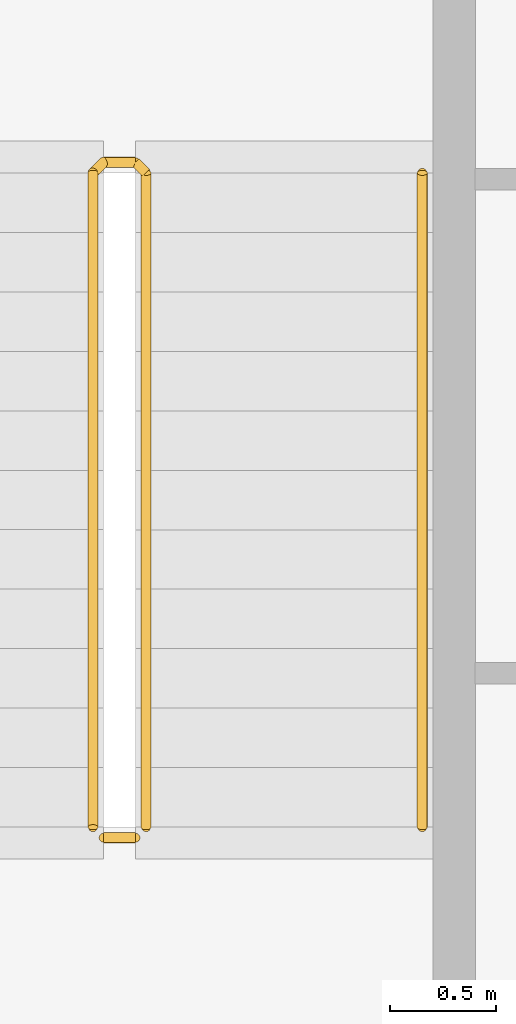
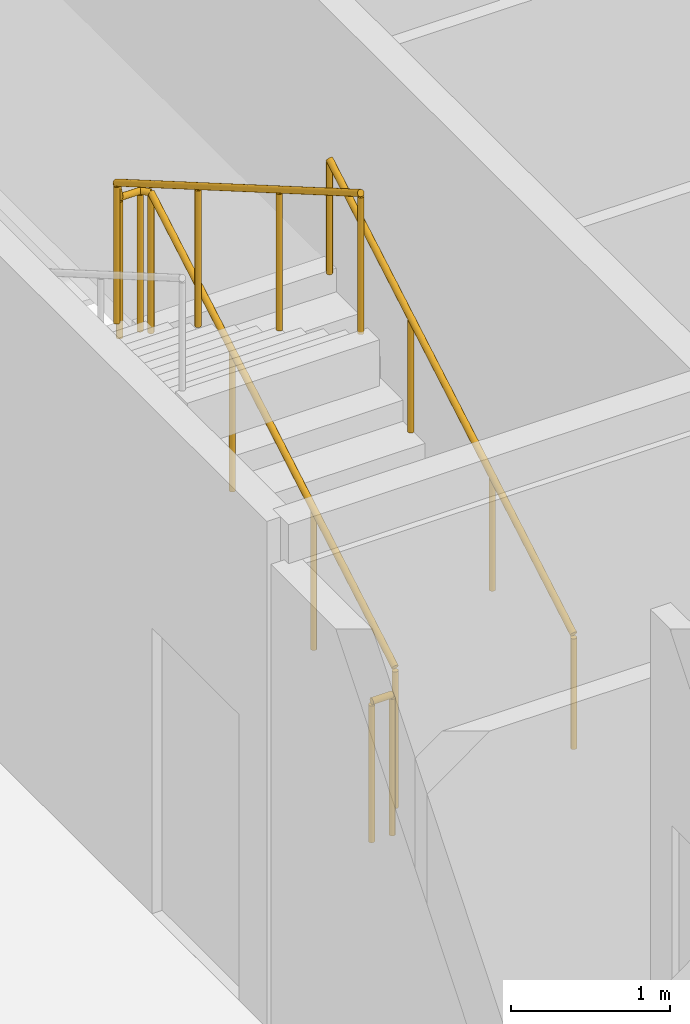
# One storey, part 27 of 28: 3 railings.
"""IFC4 building model written with IfcOpenShell, lengths in metres."""

import ifcopenshell
import ifcopenshell.guid

model = None  # the IFC model being written
_history = None  # IfcOwnerHistory: only IFC2X3 demands one
_inside = {}  # id of a spatial element -> (the spatial element, [elements in it])
_under = {}  # id of a project, library or spatial element -> (it, [spatial elements below it])
_declared = {}  # id of a project -> (the project, [libraries it declares])
_typed = {}  # id of a type object -> (the type object, [elements of that type])
_made_of = {}  # id of a material, layer set ... -> (it, [elements and type objects made of it])


def new_model(schema):
    """Start an empty IFC model of exactly this schema.

    Asked for "IFC4X3", IfcOpenShell would pick the latest addendum, in which some entities
    have other attributes; the version numbers below select the first issue.
    IFC2X3 requires an IfcOwnerHistory on every rooted entity: one is made here for all.
    """
    global model, _history
    if schema == "IFC4X3":
        model = ifcopenshell.file(schema_version=(4, 3, 0, 0))
    else:
        model = ifcopenshell.file(schema=schema)
    _inside.clear()
    _under.clear()
    _declared.clear()
    _typed.clear()
    _made_of.clear()
    _history = None
    if model.schema == "IFC2X3":
        org = make("IfcOrganization", Name="unknown")
        user = make(
            "IfcPersonAndOrganization",
            ThePerson=make("IfcPerson", FamilyName="unknown"),
            TheOrganization=org,
        )
        app = make(
            "IfcApplication",
            ApplicationDeveloper=org,
            Version="unknown",
            ApplicationFullName="unknown",
            ApplicationIdentifier="unknown",
        )
        _history = make(
            "IfcOwnerHistory",
            OwningUser=user,
            OwningApplication=app,
            ChangeAction="ADDED",
            CreationDate=0,
        )
    return model


def make(cls, **values):
    """One entity of the class cls with the attributes given. An attribute that is None is left unset."""
    return model.create_entity(
        cls, **{name: value for name, value in values.items() if value is not None}
    )


def rooted(cls, **values):
    """An entity with a GlobalId (a new one), such as an element, a storey or a relation."""
    return make(cls, GlobalId=ifcopenshell.guid.new(), OwnerHistory=_history, **values)


def si_unit(unit_type, name, prefix=None):
    """IfcSIUnit, for example si_unit("LENGTHUNIT", "METRE", prefix="MILLI")."""
    return make("IfcSIUnit", UnitType=unit_type, Prefix=prefix, Name=name)


def assignment(units):
    """IfcUnitAssignment: the units of a project."""
    return None if units is None else make("IfcUnitAssignment", Units=units)


def point(xyz):
    """IfcCartesianPoint."""
    return None if xyz is None else make("IfcCartesianPoint", Coordinates=xyz)


def direction(xyz):
    """IfcDirection."""
    return None if xyz is None else make("IfcDirection", DirectionRatios=xyz)


def frame(location, z_axis=None, x_axis=None):
    """IfcAxis2Placement3D, a coordinate frame: its origin and axes. An axis left out is left unset."""
    return make(
        "IfcAxis2Placement3D",
        Location=point(location),
        Axis=direction(z_axis),
        RefDirection=direction(x_axis),
    )


def frame_2d(location, x_axis=None):
    """IfcAxis2Placement2D, a coordinate frame in the plane: its origin and x axis."""
    return make(
        "IfcAxis2Placement2D", Location=point(location), RefDirection=direction(x_axis)
    )


def origin():
    """The frame at (0, 0, 0) with its axes left unset."""
    return frame((0.0, 0.0, 0.0))


def origin_2d():
    """The frame at (0, 0) in the plane with its x axis left unset."""
    return frame_2d((0.0, 0.0))


def place(relative_to, where):
    """IfcLocalPlacement: puts the frame where relative to a parent placement (None: the world)."""
    return make(
        "IfcLocalPlacement", PlacementRelTo=relative_to, RelativePlacement=where
    )


def context(
    kind, dimensions, precision=None, world=None, true_north=None, identifier=None
):
    """IfcGeometricRepresentationContext, for example the 3D "Model" context."""
    return make(
        "IfcGeometricRepresentationContext",
        ContextIdentifier=identifier,
        ContextType=kind,
        CoordinateSpaceDimension=dimensions,
        Precision=precision,
        WorldCoordinateSystem=world,
        TrueNorth=true_north,
    )


def subcontext(parent, identifier, kind, view, scale=None):
    """IfcGeometricRepresentationSubContext, for example "Body" below "Model"."""
    return make(
        "IfcGeometricRepresentationSubContext",
        ContextIdentifier=identifier,
        ContextType=kind,
        ParentContext=parent,
        TargetScale=scale,
        TargetView=view,
    )


def project(units=None, contexts=None):
    """IfcProject with its units and contexts."""
    return rooted(
        "IfcProject",
        Name="project",
        RepresentationContexts=contexts,
        UnitsInContext=assignment(units),
    )


def spatial(cls, under=None, at=None, **own):
    """A site, building, storey or space (cls), placed at a placement, below another one or the project."""
    s = rooted(cls, ObjectPlacement=at, **own)
    if under is not None:
        _under.setdefault(under.id(), (under, []))[1].append(s)
    return s


def profile(cls, at=None, kind="AREA", **sizes):
    """A parametric profile (cls). Its sizes go by their IFC names, for example OverallWidth=200.0."""
    return make(cls, ProfileType=kind, Position=at, **sizes)


def circle(**sizes):
    """IfcCircleProfileDef."""
    return profile("IfcCircleProfileDef", **sizes)


def extrude(swept, where, along, depth):
    """IfcExtrudedAreaSolid: the profile swept, set in the frame where, extruded along a direction by depth."""
    return make(
        "IfcExtrudedAreaSolid",
        SweptArea=swept,
        Position=where,
        ExtrudedDirection=direction(along),
        Depth=depth,
    )


def shape(context_of_items, identifier, shape_type, items):
    """IfcShapeRepresentation: the items that make up one representation, for example the "Body"."""
    return make(
        "IfcShapeRepresentation",
        ContextOfItems=context_of_items,
        RepresentationIdentifier=identifier,
        RepresentationType=shape_type,
        Items=items,
    )


def material(Name=None, Category=None):
    """IfcMaterial."""
    return make("IfcMaterial", Name=Name, Category=Category)


def made_of(thing, what):
    """Note that an element or type object is made of a material, layer set ...; save() writes the relation."""
    if what is not None:
        _made_of.setdefault(what.id(), (what, []))[1].append(thing)
    return thing


def type_object(cls, material=None, **own):
    """A type object (cls), such as IfcWallType, which elements share."""
    return made_of(rooted(cls, **own), material)


def element(
    cls,
    number,
    at=None,
    inside=None,
    cuts=None,
    type_object=None,
    material=None,
    context=None,
    identifier="Body",
    shape_type=None,
    held_by="IfcProductDefinitionShape",
    body=None,
    shapes=None,
    **own,
):
    """One element of the class cls, such as IfcWall. Its Tag is "e" and its number.

    at: its placement. inside: the storey or other place that contains it. cuts: it is an
    opening in that element (IfcRelVoidsElement). A single representation is given by context,
    identifier, shape_type and body (its items); several are given by shapes. held_by: the class
    of the entity that holds the representations. save() writes the other relations.
    """
    e = rooted(cls, Tag="e%d" % number, ObjectPlacement=at, **own)
    if body is not None:
        shapes = [shape(context, identifier, shape_type, body)]
    if shapes is not None:
        e.Representation = make(held_by, Representations=shapes)
    if inside is not None:
        _inside.setdefault(inside.id(), (inside, []))[1].append(e)
    if cuts is not None:
        rooted(
            "IfcRelVoidsElement", RelatingBuildingElement=cuts, RelatedOpeningElement=e
        )
    if type_object is not None:
        _typed.setdefault(type_object.id(), (type_object, []))[1].append(e)
    return made_of(e, material)


def aggregate(whole, parts):
    """IfcRelAggregates: a whole, such as a stair, and the parts it consists of."""
    return rooted("IfcRelAggregates", RelatingObject=whole, RelatedObjects=parts)


def save(model, path):
    """Write the relations noted so far, then the file.

    IfcRelAggregates (storeys below a building ...), IfcRelContainedInSpatialStructure (elements
    in a storey), IfcRelDefinesByType, IfcRelAssociatesMaterial and IfcRelDeclares: one each for
    every whole, place, type object, material and project.
    """
    for whole, parts in _under.values():
        aggregate(whole, parts)
    for where, things in _inside.values():
        rooted(
            "IfcRelContainedInSpatialStructure",
            RelatedElements=things,
            RelatingStructure=where,
        )
    for kind, things in _typed.values():
        rooted("IfcRelDefinesByType", RelatedObjects=things, RelatingType=kind)
    for what, things in _made_of.values():
        rooted("IfcRelAssociatesMaterial", RelatedObjects=things, RelatingMaterial=what)
    for by, libraries in _declared.values():
        rooted("IfcRelDeclares", RelatingContext=by, RelatedDefinitions=libraries)
    model.write(path)


model = new_model("IFC4")

# Units and contexts
model_context = context("Model", 3, precision=1e-05, world=origin(), true_north=direction((0.0, 1.0)))
body_context = subcontext(model_context, "Body", "Model", "MODEL_VIEW")
ifc_project = project(units=[si_unit("LENGTHUNIT", "METRE"), si_unit("AREAUNIT", "SQUARE_METRE"), si_unit("VOLUMEUNIT", "CUBIC_METRE"), si_unit("PLANEANGLEUNIT", "RADIAN"), si_unit("MASSUNIT", "GRAM", prefix="KILO")], contexts=[model_context])

# Site, building, storey
site_placement = place(None, origin())
site = spatial("IfcSite", under=ifc_project, at=site_placement, CompositionType="ELEMENT")
building_placement = place(site_placement, origin())
building = spatial("IfcBuilding", under=site, at=building_placement, Name="Kheshtan School and Residences Tower", CompositionType="ELEMENT")
storey_placement = place(building_placement, frame((0.0, 0.0, 125.300048828125)))
storey = spatial("IfcBuildingStorey", under=building, at=storey_placement, Name="L29", CompositionType="ELEMENT", Elevation=125.300048828125)

# Railings
ifc_material_1 = material(Name="Stainless steel balustrade", Category="steel")
railing_type_1 = type_object("IfcRailingType", Name="Stair guard 1100", PredefinedType="GUARDRAIL", material=ifc_material_1)
railing_1_placement = place(storey_placement, frame((35.0, 80.89990234375, 0.162353515625)))
element("IfcRailing", 1, at=railing_1_placement, inside=storey, type_object=railing_type_1, Name="L29 ST3 stair guard 1", PredefinedType="GUARDRAIL", context=body_context, shape_type="SweptSolid", body=[
    extrude(circle(Radius=0.02392578125, at=origin_2d()), frame((0.0, 0.0, 1.076171875), z_axis=(0.0, 0.864890721111, 0.501960198159), x_axis=(-1.0, 0.0, 0.0)), (0.0, 0.0, 1.0), 3.561279296875),
    extrude(circle(Radius=0.02392578125, at=origin_2d()), frame((0.0, 3.080078125, 2.86376953125), z_axis=(-0.707106781187, 0.707106781187, 0.0), x_axis=(-0.707106781187, -0.707106781187, 0.0)), (0.0, 0.0, 1.0), 0.07080078125),
    extrude(circle(Radius=0.02392578125, at=origin_2d()), frame((-0.050048828125, 3.130126953125, 2.86376953125), z_axis=(-1.0, 0.0, 0.0), x_axis=(0.0, -1.0, 0.0)), (0.0, 0.0, 1.0), 0.14990234375),
    extrude(circle(Radius=0.02392578125, at=origin_2d()), frame((-0.199951171875, 3.130126953125, 2.86376953125), z_axis=(-0.282227285176, -0.282227285176, 0.916894497205), x_axis=(0.707106781187, -0.707106781187, 0.0)), (0.0, 0.0, 1.0), 0.17724609375),
    extrude(circle(Radius=0.02392578125, at=origin_2d()), frame((-0.25, 3.080078125, 3.0263671875), z_axis=(0.0, -0.864920483161, 0.501908913857), x_axis=(1.0, 0.0, 0.0)), (0.0, 0.0, 1.0), 3.56103515625),
    extrude(circle(Radius=0.02099609375, at=origin_2d()), origin(), (0.0, 0.0, 1.0), 1.052001953125),
    extrude(circle(Radius=0.02099609375, at=origin_2d()), frame((0.0, 1.026611328125, 0.595947265625)), (0.0, 0.0, 1.0), 1.052001953125),
    extrude(circle(Radius=0.02099609375, at=origin_2d()), frame((0.0, 2.053466796875, 1.191650390625)), (0.0, 0.0, 1.0), 1.052001953125),
    extrude(circle(Radius=0.02099609375, at=origin_2d()), frame((0.0, 3.080078125, 1.78759765625)), (0.0, 0.0, 1.0), 1.052001953125),
    extrude(circle(Radius=0.02099609375, at=origin_2d()), frame((-0.050048828125, 3.130126953125, 1.78759765625)), (0.0, 0.0, 1.0), 1.052001953125),
    extrude(circle(Radius=0.02099609375, at=origin_2d()), frame((-0.199951171875, 3.130126953125, 1.78759765625)), (0.0, 0.0, 1.0), 1.052001953125),
    extrude(circle(Radius=0.02099609375, at=origin_2d()), frame((-0.25, 3.080078125, 1.9501953125)), (0.0, 0.0, 1.0), 1.052001953125),
    extrude(circle(Radius=0.02099609375, at=origin_2d()), frame((-0.25, 2.053466796875, 2.5458984375)), (0.0, 0.0, 1.0), 1.052001953125),
    extrude(circle(Radius=0.02099609375, at=origin_2d()), frame((-0.25, 1.026611328125, 3.141845703125)), (0.0, 0.0, 1.0), 1.052001953125),
    extrude(circle(Radius=0.02099609375, at=origin_2d()), frame((-0.25, 0.0, 3.737548828125)), (0.0, 0.0, 1.0), 1.052001953125),
])
railing_2_placement = place(storey_placement, frame((34.949951171875, 80.85009765625, 0.0)))
element("IfcRailing", 2, at=railing_2_placement, inside=storey, type_object=railing_type_1, Name="L29 ST3 stair guard 2", PredefinedType="GUARDRAIL", context=body_context, shape_type="SweptSolid", body=[
    extrude(circle(Radius=0.02392578125, at=origin_2d()), frame((0.0, 0.0, 1.076171875), z_axis=(-1.0, 0.0, 0.0), x_axis=(0.0, -1.0, 0.0)), (0.0, 0.0, 1.0), 0.14990234375),
    extrude(circle(Radius=0.02099609375, at=origin_2d()), origin(), (0.0, 0.0, 1.0), 1.052001953125),
    extrude(circle(Radius=0.02099609375, at=origin_2d()), frame((-0.14990234375, 0.0, 0.0)), (0.0, 0.0, 1.0), 1.052001953125),
])
ifc_material_2 = material(Name="Stainless steel handrail", Category="steel")
railing_type_2 = type_object("IfcRailingType", Name="Stair handrail 900", PredefinedType="HANDRAIL", material=ifc_material_2)
railing_3_placement = place(storey_placement, frame((36.300048828125, 80.89990234375, 0.162353515625)))
element("IfcRailing", 3, at=railing_3_placement, inside=storey, type_object=railing_type_2, Name="L29 ST3 stair handrail 1", PredefinedType="HANDRAIL", context=body_context, shape_type="SweptSolid", body=[
    extrude(circle(Radius=0.02392578125, at=origin_2d()), frame((0.0, 0.0, 0.8759765625), z_axis=(0.0, 0.864890721111, 0.501960198159), x_axis=(-1.0, 0.0, 0.0)), (0.0, 0.0, 1.0), 3.561279296875),
    extrude(circle(Radius=0.02099609375, at=origin_2d()), origin(), (0.0, 0.0, 1.0), 0.851806640625),
    extrude(circle(Radius=0.02099609375, at=origin_2d()), frame((0.0, 1.026611328125, 0.595947265625)), (0.0, 0.0, 1.0), 0.851806640625),
    extrude(circle(Radius=0.02099609375, at=origin_2d()), frame((0.0, 2.053466796875, 1.191650390625)), (0.0, 0.0, 1.0), 0.851806640625),
    extrude(circle(Radius=0.02099609375, at=origin_2d()), frame((0.0, 3.080078125, 1.78759765625)), (0.0, 0.0, 1.0), 0.851806640625),
])

save(model, "model.ifc")
